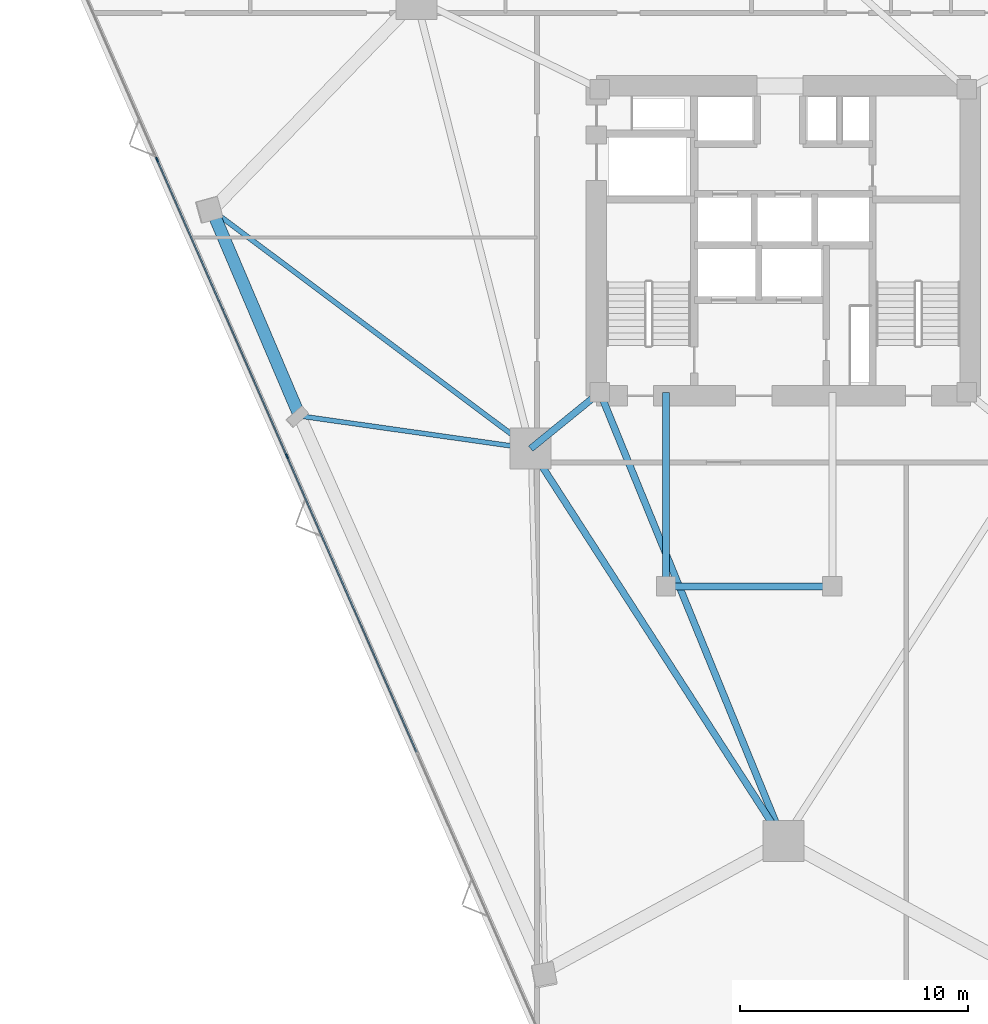
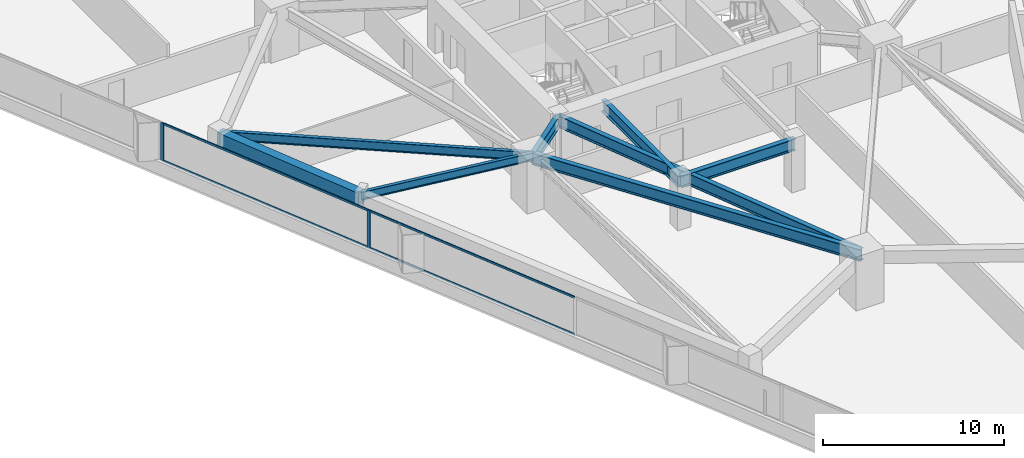
# One storey, part 4 of 14: 8 beams, 6 members, 1 element without a shape of its own.
"""IFC4 building model written with IfcOpenShell, lengths in metres."""

from ifc_helpers import new_model, si_unit, direction, frame, origin, origin_2d, place, context, subcontext, project, spatial, rectangle, i_section, extrude, material, layer, layer_set, material_profile, profile_set, type_object, element, aggregate, save


model = new_model("IFC4")

# Units and contexts
model_context = context("Model", 3, precision=1e-05, world=origin(), true_north=direction((0.0, 1.0)))
body_context = subcontext(model_context, "Body", "Model", "MODEL_VIEW")
ifc_project = project(units=[si_unit("LENGTHUNIT", "METRE"), si_unit("AREAUNIT", "SQUARE_METRE"), si_unit("VOLUMEUNIT", "CUBIC_METRE"), si_unit("PLANEANGLEUNIT", "RADIAN"), si_unit("MASSUNIT", "GRAM", prefix="KILO")], contexts=[model_context])

# Site, building, storey
site_placement = place(None, origin())
site = spatial("IfcSite", under=ifc_project, at=site_placement, CompositionType="ELEMENT")
building_placement = place(site_placement, origin())
building = spatial("IfcBuilding", under=site, at=building_placement, Name="Talyreon Biosciences Tower", CompositionType="ELEMENT")
storey_placement = place(building_placement, frame((0.0, 0.0, 52.0)))
storey = spatial("IfcBuildingStorey", under=building, at=storey_placement, Name="L13", CompositionType="ELEMENT", Elevation=52.0)

# Curtain wall, members
ifc_material_1 = material(Name="Thermally broken aluminium and low-E glazing", Category="aluminium")
ifc_layer = layer(ifc_material_1, 0.205078125)
ifc_layer_set = layer_set([ifc_layer], Name="Thermally broken aluminium and low-E glazing")
curtain_wall_type = type_object("IfcCurtainWallType", Name="CurtainWall_SkyGardenLoggia", PredefinedType="NOTDEFINED", material=ifc_layer_set)
curtain_wall_placement = place(storey_placement, origin())
curtain_wall = element("IfcCurtainWall", 1, at=curtain_wall_placement, inside=storey, type_object=curtain_wall_type, Name="L13 Unitised Curtain Wall FCW-L13-15", PredefinedType="NOTDEFINED")
ifc_material_2 = material(Name="Anodised thermally broken aluminium", Category="aluminium")
ifc_material_profile_1 = material_profile(ifc_material_2, rectangle(XDim=0.074951171875, YDim=0.2099609375, at=origin_2d()), Name="ALUM MULLION 75x210")
ifc_profile_set_1 = profile_set([ifc_material_profile_1], Name="Anodised thermally broken aluminium")
member_type_1 = type_object("IfcMemberType", Name="CWMullion_75x210", PredefinedType="MULLION", material=ifc_profile_set_1)
member_1_placement = place(storey_placement, frame((44.221435546875, 58.549072265625, 0.81005859375), z_axis=(0.0, 0.0, 1.0), x_axis=(-0.916035471245, -0.40109726429, 0.0)))
member_1 = element("IfcMember", 2, at=member_1_placement, type_object=member_type_1, Name="CW7 mullion 4", PredefinedType="MULLION", context=body_context, shape_type="SweptSolid", body=[
    extrude(rectangle(XDim=0.074951171875, YDim=0.2099609375, at=origin_2d()), origin(), (0.0, 0.0, 1.0), 2.56494140625),
])
member_2_placement = place(storey_placement, frame((38.525390625, 71.55810546875, 0.81005859375), z_axis=(0.0, 0.0, 1.0), x_axis=(-0.916035471245, -0.40109726429, 0.0)))
member_2 = element("IfcMember", 3, at=member_2_placement, type_object=member_type_1, Name="CW7 mullion 5", PredefinedType="MULLION", context=body_context, shape_type="SweptSolid", body=[
    extrude(rectangle(XDim=0.074951171875, YDim=0.2099609375, at=origin_2d()), origin(), (0.0, 0.0, 1.0), 2.56494140625),
])
ifc_material_profile_2 = material_profile(ifc_material_2, rectangle(XDim=0.06494140625, YDim=0.139892578125, at=origin_2d()), Name="ALUM TRANSOM 65x140")
ifc_profile_set_2 = profile_set([ifc_material_profile_2], Name="Anodised thermally broken aluminium")
member_type_2 = type_object("IfcMemberType", Name="CWTransom_65x140", PredefinedType="USERDEFINED", material=ifc_profile_set_2)
member_3_placement = place(storey_placement, frame((49.902587890625, 45.574462890625, 0.842529296875), z_axis=(-0.401090802253, 0.916038300699, 0.0), x_axis=(-0.916038300699, -0.401090802253, 0.0)))
member_3 = element("IfcMember", 4, at=member_3_placement, type_object=member_type_2, Name="CW7 transom 3.1", ObjectType="TRANSOM", PredefinedType="USERDEFINED", context=body_context, shape_type="SweptSolid", body=[
    extrude(rectangle(XDim=0.06494140625, YDim=0.139892578125, at=origin_2d()), origin(), (0.0, 0.0, 1.0), 14.12646484375),
])
member_4_placement = place(storey_placement, frame((49.902587890625, 45.574462890625, 3.342529296875), z_axis=(-0.401090802253, 0.916038300699, 0.0), x_axis=(-0.916038300699, -0.401090802253, 0.0)))
member_4 = element("IfcMember", 5, at=member_4_placement, type_object=member_type_2, Name="CW7 transom 3.2", ObjectType="TRANSOM", PredefinedType="USERDEFINED", context=body_context, shape_type="SweptSolid", body=[
    extrude(rectangle(XDim=0.06494140625, YDim=0.139892578125, at=origin_2d()), origin(), (0.0, 0.0, 1.0), 14.12646484375),
])
member_5_placement = place(storey_placement, frame((44.20654296875, 58.58349609375, 0.842529296875), z_axis=(-0.401111654299, 0.91602917027, 0.0), x_axis=(-0.91602917027, -0.401111654299, 0.0)))
member_5 = element("IfcMember", 6, at=member_5_placement, type_object=member_type_2, Name="CW7 transom 4.1", ObjectType="TRANSOM", PredefinedType="USERDEFINED", context=body_context, shape_type="SweptSolid", body=[
    extrude(rectangle(XDim=0.06494140625, YDim=0.139892578125, at=origin_2d()), origin(), (0.0, 0.0, 1.0), 14.12646484375),
])
member_6_placement = place(storey_placement, frame((44.20654296875, 58.58349609375, 3.342529296875), z_axis=(-0.401111654299, 0.91602917027, 0.0), x_axis=(-0.91602917027, -0.401111654299, 0.0)))
member_6 = element("IfcMember", 7, at=member_6_placement, type_object=member_type_2, Name="CW7 transom 4.2", ObjectType="TRANSOM", PredefinedType="USERDEFINED", context=body_context, shape_type="SweptSolid", body=[
    extrude(rectangle(XDim=0.06494140625, YDim=0.139892578125, at=origin_2d()), origin(), (0.0, 0.0, 1.0), 14.12646484375),
])
aggregate(curtain_wall, [member_1, member_2, member_3, member_4, member_5, member_6])

# Beams
ifc_material_3 = material(Name="Precast concrete C45/55", Category="concrete")
ifc_material_profile_3 = material_profile(ifc_material_3, rectangle(XDim=0.550048828125, YDim=0.85009765625, at=origin_2d()), Name="RCB 550x850")
ifc_profile_set_3 = profile_set([ifc_material_profile_3], Name="Precast concrete C45/55")
beam_type_1 = type_object("IfcBeamType", Name="ExpressedSpandrel_550x850", PredefinedType="SPANDREL", material=ifc_profile_set_3)
beam_1_placement = place(storey_placement, frame((40.930908203125, 69.34375, 2.949951171875), z_axis=(0.391665875672, -0.920107516453, 0.0), x_axis=(0.920107516453, 0.391665875672, 0.0)))
element("IfcBeam", 8, at=beam_1_placement, inside=storey, type_object=beam_type_1, Name="L13 Expressed Horizontal Concrete Spandrel 10", PredefinedType="SPANDREL", context=body_context, shape_type="SweptSolid", body=[
    extrude(rectangle(XDim=0.550048828125, YDim=0.85009765625, at=origin_2d()), origin(), (0.0, 0.0, 1.0), 9.81201171875),
])
ifc_material_4 = material(Name="Steel SM355", Category="steel")
ifc_material_profile_4 = material_profile(ifc_material_4, i_section(OverallWidth=0.300048828125, OverallDepth=0.800048828125, WebThickness=0.017578125, FlangeThickness=0.032958984375, FilletRadius=0.030029296875, at=origin_2d()), Name="HE800B")
ifc_profile_set_4 = profile_set([ifc_material_profile_4], Name="Steel SM355")
beam_type_2 = type_object("IfcBeamType", Name="SteelGirder_HE800B", PredefinedType="BEAM", material=ifc_profile_set_4)
beam_2_placement = place(storey_placement, frame((54.913818359375, 58.88037109375, 2.97509765625), z_axis=(0.541463723609, -0.840724114092, 0.0), x_axis=(0.840724114092, 0.541463723609, 0.0)))
element("IfcBeam", 9, at=beam_2_placement, inside=storey, type_object=beam_type_2, Name="L13 Mega-Ring Girder 6", PredefinedType="BEAM", context=body_context, shape_type="SweptSolid", body=[
    extrude(i_section(OverallWidth=0.300048828125, OverallDepth=0.800048828125, WebThickness=0.017578125, FlangeThickness=0.032958984375, FilletRadius=0.030029296875, at=origin_2d()), origin(), (0.0, 0.0, 1.0), 20.474365234375),
])
beam_3_placement = place(storey_placement, frame((57.949951171875, 61.35009765625, 2.97509765625), z_axis=(0.378547014545, -0.925582064314, 0.0), x_axis=(0.925582064314, 0.378547014545, 0.0)))
element("IfcBeam", 10, at=beam_3_placement, inside=storey, type_object=beam_type_2, Name="L13 Radial Primary Girder 1", PredefinedType="BEAM", context=body_context, shape_type="SweptSolid", body=[
    extrude(i_section(OverallWidth=0.300048828125, OverallDepth=0.800048828125, WebThickness=0.017578125, FlangeThickness=0.032958984375, FilletRadius=0.030029296875, at=origin_2d()), origin(), (0.0, 0.0, 1.0), 21.265625),
])
beam_4_placement = place(storey_placement, frame((57.949951171875, 61.35009765625, 2.97509765625), z_axis=(-0.775755154013, -0.631034025249, 0.0), x_axis=(0.631034025249, -0.775755154013, 0.0)))
element("IfcBeam", 11, at=beam_4_placement, inside=storey, type_object=beam_type_2, Name="L13 Radial Primary Girder 6", PredefinedType="BEAM", context=body_context, shape_type="SweptSolid", body=[
    extrude(i_section(OverallWidth=0.300048828125, OverallDepth=0.800048828125, WebThickness=0.017578125, FlangeThickness=0.032958984375, FilletRadius=0.030029296875, at=origin_2d()), origin(), (0.0, 0.0, 1.0), 3.913818359375),
])
beam_5_placement = place(storey_placement, frame((60.85009765625, 52.840087890625, 2.97509765625), z_axis=(1.0, 0.0, 0.0), x_axis=(0.0, 1.0, 0.0)))
element("IfcBeam", 12, at=beam_5_placement, inside=storey, type_object=beam_type_2, Name="L13 Crown Shaft Spine Girder S", PredefinedType="BEAM", context=body_context, shape_type="SweptSolid", body=[
    extrude(i_section(OverallWidth=0.300048828125, OverallDepth=0.800048828125, WebThickness=0.017578125, FlangeThickness=0.032958984375, FilletRadius=0.030029296875, at=origin_2d()), origin(), (0.0, 0.0, 1.0), 7.2998046875),
])
beam_6_placement = place(storey_placement, frame((60.85009765625, 52.840087890625, 2.97509765625), z_axis=(0.0, 1.0, 0.0), x_axis=(-1.0, 0.0, 0.0)))
element("IfcBeam", 13, at=beam_6_placement, inside=storey, type_object=beam_type_2, Name="L13 Crown Shaft Tie Girder W", PredefinedType="BEAM", context=body_context, shape_type="SweptSolid", body=[
    extrude(i_section(OverallWidth=0.300048828125, OverallDepth=0.800048828125, WebThickness=0.017578125, FlangeThickness=0.032958984375, FilletRadius=0.030029296875, at=origin_2d()), origin(), (0.0, 0.0, 1.0), 8.510009765625),
])
ifc_material_profile_5 = material_profile(ifc_material_4, i_section(OverallWidth=0.2099609375, OverallDepth=0.550048828125, WebThickness=0.010986328125, FlangeThickness=0.01708984375, FilletRadius=0.02392578125, at=origin_2d()), Name="IPE550")
ifc_profile_set_5 = profile_set([ifc_material_profile_5], Name="Steel SM355")
beam_type_3 = type_object("IfcBeamType", Name="SteelJoist_IPE550", PredefinedType="JOIST", material=ifc_profile_set_5)
beam_7_placement = place(storey_placement, frame((54.913818359375, 58.88037109375, 3.10009765625), z_axis=(-0.990129862161, 0.140152973771, 0.0), x_axis=(-0.140152973771, -0.990129862161, 0.0)))
element("IfcBeam", 14, at=beam_7_placement, inside=storey, type_object=beam_type_3, Name="L13 Radial Composite Floor Joist PL-SW", PredefinedType="JOIST", context=body_context, shape_type="SweptSolid", body=[
    extrude(i_section(OverallWidth=0.2099609375, OverallDepth=0.550048828125, WebThickness=0.010986328125, FlangeThickness=0.01708984375, FilletRadius=0.02392578125, at=origin_2d()), origin(), (0.0, 0.0, 1.0), 10.240966796875),
])
ifc_material_profile_6 = material_profile(ifc_material_4, i_section(OverallWidth=0.219970703125, OverallDepth=0.60009765625, WebThickness=0.011962890625, FlangeThickness=0.01904296875, FilletRadius=0.02392578125, at=origin_2d()), Name="IPE600")
ifc_profile_set_6 = profile_set([ifc_material_profile_6], Name="Steel SM355")
beam_type_4 = type_object("IfcBeamType", Name="SteelJoist_IPE600", PredefinedType="JOIST", material=ifc_profile_set_6)
beam_8_placement = place(storey_placement, frame((54.913818359375, 58.88037109375, 3.074951171875), z_axis=(-0.800653758381, 0.599127331367, 0.0), x_axis=(-0.599127331367, -0.800653758381, 0.0)))
element("IfcBeam", 15, at=beam_8_placement, inside=storey, type_object=beam_type_4, Name="L13 Radial Composite Floor Joist PC-SW1", PredefinedType="JOIST", context=body_context, shape_type="SweptSolid", body=[
    extrude(i_section(OverallWidth=0.219970703125, OverallDepth=0.60009765625, WebThickness=0.011962890625, FlangeThickness=0.01904296875, FilletRadius=0.02392578125, at=origin_2d()), origin(), (0.0, 0.0, 1.0), 17.46435546875),
])

save(model, "model.ifc")
